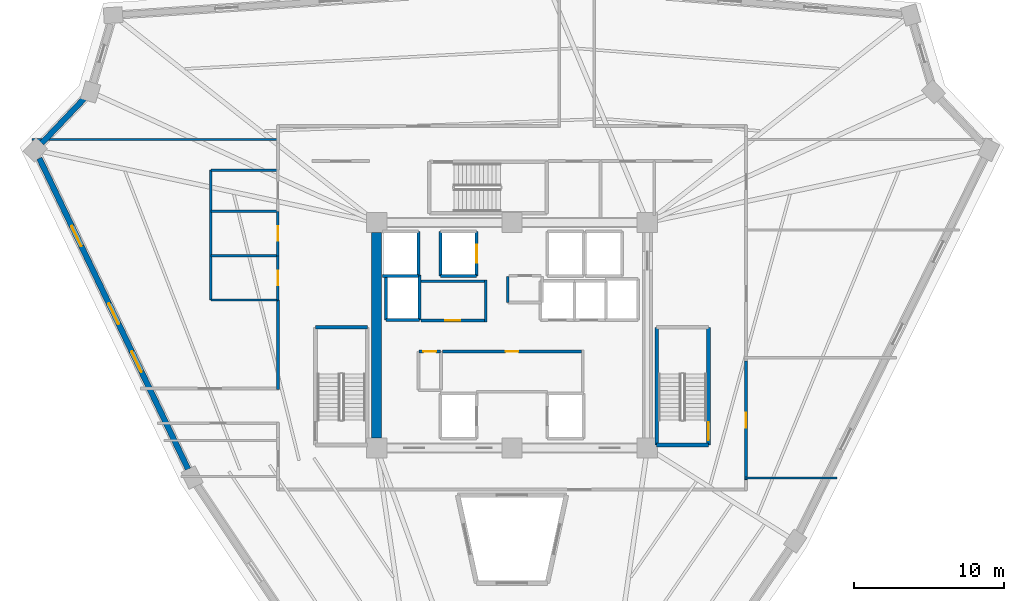
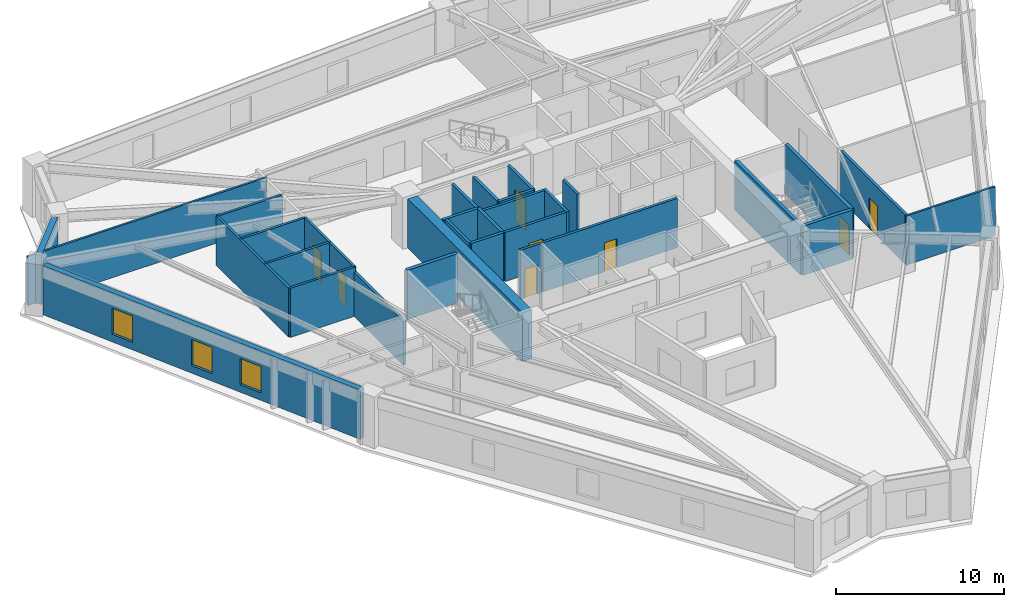
# One storey, part 4 of 8: 32 walls, 8 doors, 3 windows, 11 openings.
"""IFC4 building model written with IfcOpenShell, lengths in metres."""

from ifc_helpers import new_model, si_unit, direction, frame, frame_2d, origin, place, context, subcontext, project, spatial, rectangle, extrude, source, transform, mapped, material, layer, layer_set, type_object, element, fill, save


model = new_model("IFC4")

# Units and contexts
model_context = context("Model", 3, precision=1e-05, world=origin(), true_north=direction((0.0, 1.0)))
body_context = subcontext(model_context, "Body", "Model", "MODEL_VIEW")
ifc_project = project(units=[si_unit("LENGTHUNIT", "METRE"), si_unit("AREAUNIT", "SQUARE_METRE"), si_unit("VOLUMEUNIT", "CUBIC_METRE"), si_unit("PLANEANGLEUNIT", "RADIAN"), si_unit("MASSUNIT", "GRAM", prefix="KILO")], contexts=[model_context])

# Site, building, storey
site_placement = place(None, origin())
site = spatial("IfcSite", under=ifc_project, at=site_placement, CompositionType="ELEMENT")
building_placement = place(site_placement, origin())
building = spatial("IfcBuilding", under=site, at=building_placement, Name="Liaohun Quay Tower", CompositionType="ELEMENT")
storey_placement = place(building_placement, frame((0.0, 0.0, 262.5)))
storey = spatial("IfcBuildingStorey", under=building, at=storey_placement, Name="L68", CompositionType="ELEMENT", Elevation=262.5)

# Walls
ifc_material_1 = material(Name="Concrete C55", Category="concrete")
ifc_layer_1 = layer(ifc_material_1, 0.64990234375, Name="Concrete C55", Category="concrete")
ifc_layer_set_1 = layer_set([ifc_layer_1], Name="Concrete C55")
wall_type_1 = type_object("IfcWallType", Name="WAL-COR-Z3", PredefinedType="SHEAR", material=ifc_layer_set_1)
wall_1_placement = place(storey_placement, frame((51.0, 47.175048828125, 0.0), z_axis=(0.0, 0.0, 1.0), x_axis=(0.0, 1.0, 0.0)))
element("IfcWall", 1, at=wall_1_placement, inside=storey, type_object=wall_type_1, Name="L68 Central Core Shear Wall W", PredefinedType="SHEAR", context=body_context, shape_type="SweptSolid", body=[
    extrude(rectangle(XDim=13.64990234375, YDim=0.64990234375, at=frame_2d((6.824951171875, 0.0))), origin(), (0.0, 0.0, 1.0), 3.570068359375),
])
ifc_material_2 = material(Name="Precast concrete C50 insulated sandwich", Category="concrete")
ifc_layer_2 = layer(ifc_material_2, 0.3798828125, Name="Precast concrete C50 insulated sandwich", Category="concrete")
ifc_layer_set_2 = layer_set([ifc_layer_2], Name="Precast concrete C50 insulated sandwich")
wall_type_2 = type_object("IfcWallType", Name="WAL-EXT-Z34", PredefinedType="SOLIDWALL", material=ifc_layer_set_2)
wall_2_placement = place(storey_placement, frame((31.55908203125, 69.72998046875, 0.0), z_axis=(0.0, 0.0, 1.0), x_axis=(-0.689302304971, -0.724473831385, 0.0)))
element("IfcWall", 2, at=wall_2_placement, inside=storey, type_object=wall_type_2, Name="L68 Brutalist Precast Pier Wall 09", PredefinedType="SOLIDWALL", context=body_context, shape_type="SweptSolid", body=[
    extrude(rectangle(XDim=4.095458984375, YDim=0.3798828125, at=frame_2d((2.0478515625, 0.0))), origin(), (0.0, 0.0, 1.0), 3.570068359375),
])

# Wall, openings, windows
wall_3_placement = place(storey_placement, frame((28.576904296875, 65.761962890625, 0.0), z_axis=(0.0, 0.0, 1.0), x_axis=(0.431702044432, -0.902016266391, 0.0)))
wall_3 = element("IfcWall", 3, at=wall_3_placement, inside=storey, type_object=wall_type_2, Name="L68 Brutalist Precast Pier Wall 10", PredefinedType="SOLIDWALL", context=body_context, shape_type="SweptSolid", body=[
    extrude(rectangle(XDim=22.9140625, YDim=0.3798828125, at=frame_2d((11.45703125, 0.0))), origin(), (0.0, 0.0, 1.0), 3.570068359375),
])
shared_shape_1 = source(origin(), body_context, "Body", "SweptSolid", [
    extrude(rectangle(XDim=1.5, YDim=1.89990234375, at=frame_2d((0.75, 0.949951171875))), frame((0.0, 0.199951171875, 0.0), z_axis=(0.0, -1.0, 0.0), x_axis=(1.0, 0.0, 0.0)), (0.0, 0.0, 1.0), 0.39990234375),
])
opening_1_placement = place(wall_3_placement, frame((4.97900390625, 0.0, 0.550048828125)))
opening_1 = element("IfcOpeningElement", 4, at=opening_1_placement, cuts=wall_3, Name="Opening W03", PredefinedType="OPENING", context=body_context, shape_type="MappedRepresentation", body=[
    mapped(shared_shape_1, transform((0.0, 0.0, 0.0), x_axis=(1.0, 0.0, 0.0), y_axis=(0.0, 1.0, 0.0), z_axis=(0.0, 0.0, 1.0), scale=1.0)),
])
opening_2_placement = place(wall_3_placement, frame((10.70703125, 0.0, 0.550048828125)))
opening_2 = element("IfcOpeningElement", 5, at=opening_2_placement, cuts=wall_3, Name="Opening W03", PredefinedType="OPENING", context=body_context, shape_type="MappedRepresentation", body=[
    mapped(shared_shape_1, transform((0.0, 0.0, 0.0), x_axis=(1.0, 0.0, 0.0), y_axis=(0.0, 1.0, 0.0), z_axis=(0.0, 0.0, 1.0), scale=1.0)),
])
opening_3_placement = place(wall_3_placement, frame((14.236083984375, 0.0, 0.550048828125)))
opening_3 = element("IfcOpeningElement", 6, at=opening_3_placement, cuts=wall_3, Name="Opening W03", PredefinedType="OPENING", context=body_context, shape_type="MappedRepresentation", body=[
    mapped(shared_shape_1, transform((0.0, 0.0, 0.0), x_axis=(1.0, 0.0, 0.0), y_axis=(0.0, 1.0, 0.0), z_axis=(0.0, 0.0, 1.0), scale=1.0)),
])
ifc_material_3 = material(Name="Triple Low-E argon glazing in thermally broken aluminium", Category="aluminium")
window_type = type_object("IfcWindowType", Name="WIN-PUN-Z3", PartitioningType="DOUBLE_PANEL_VERTICAL", PredefinedType="WINDOW", material=ifc_material_3)
shared_shape_2 = source(origin(), body_context, "Body", "SweptSolid", [
    extrude(rectangle(XDim=1.5, YDim=1.89990234375, at=frame_2d((0.75, 0.949951171875))), frame((0.0, 0.030029296875, 0.0), z_axis=(0.0, -1.0, 0.0), x_axis=(1.0, 0.0, 0.0)), (0.0, 0.0, 1.0), 0.06005859375),
])
window_1_placement = place(opening_1_placement, origin())
window_1 = element("IfcWindow", 7, at=window_1_placement, inside=storey, type_object=window_type, Name="L68 Recessed Cold-Climate Punched Window 10-1", OverallHeight=1.89990234375, OverallWidth=1.5, PartitioningType="DOUBLE_PANEL_VERTICAL", PredefinedType="WINDOW", context=body_context, shape_type="MappedRepresentation", body=[
    mapped(shared_shape_2, transform((0.0, 0.0, 0.0), x_axis=(1.0, 0.0, 0.0), y_axis=(0.0, 1.0, 0.0), z_axis=(0.0, 0.0, 1.0), scale=1.0)),
])
fill(opening_1, window_1)
window_2_placement = place(opening_2_placement, origin())
window_2 = element("IfcWindow", 8, at=window_2_placement, inside=storey, type_object=window_type, Name="L68 Recessed Cold-Climate Punched Window 10-2", OverallHeight=1.89990234375, OverallWidth=1.5, PartitioningType="DOUBLE_PANEL_VERTICAL", PredefinedType="WINDOW", context=body_context, shape_type="MappedRepresentation", body=[
    mapped(shared_shape_2, transform((0.0, 0.0, 0.0), x_axis=(1.0, 0.0, 0.0), y_axis=(0.0, 1.0, 0.0), z_axis=(0.0, 0.0, 1.0), scale=1.0)),
])
fill(opening_2, window_2)
window_3_placement = place(opening_3_placement, origin())
window_3 = element("IfcWindow", 9, at=window_3_placement, inside=storey, type_object=window_type, Name="L68 Recessed Cold-Climate Punched Window 10-3", OverallHeight=1.89990234375, OverallWidth=1.5, PartitioningType="DOUBLE_PANEL_VERTICAL", PredefinedType="WINDOW", context=body_context, shape_type="MappedRepresentation", body=[
    mapped(shared_shape_2, transform((0.0, 0.0, 0.0), x_axis=(1.0, 0.0, 0.0), y_axis=(0.0, 1.0, 0.0), z_axis=(0.0, 0.0, 1.0), scale=1.0)),
])
fill(opening_3, window_3)

# Wall, opening, door
ifc_material_4 = material(Name="Autoclaved aerated concrete blockwork", Category="masonry")
ifc_layer_3 = layer(ifc_material_4, 0.179931640625, Name="Autoclaved aerated concrete blockwork", Category="masonry")
ifc_layer_set_3 = layer_set([ifc_layer_3], Name="Autoclaved aerated concrete blockwork")
wall_type_3 = type_object("IfcWallType", Name="WAL-PRT-COR", PredefinedType="PARTITIONING", material=ifc_layer_set_3)
wall_4_placement = place(storey_placement, frame((55.3701171875, 52.919921875, 0.0), z_axis=(0.0, 0.0, 1.0), x_axis=(1.0, 0.0, 0.0)))
wall_4 = element("IfcWall", 10, at=wall_4_placement, inside=storey, type_object=wall_type_3, Name="L68 Interior Partition Wall 001", PredefinedType="PARTITIONING", context=body_context, shape_type="SweptSolid", body=[
    extrude(rectangle(XDim=9.239990234375, YDim=0.179931640625, at=frame_2d((4.6201171875, 0.0))), origin(), (0.0, 0.0, 1.0), 3.570068359375),
])
shared_shape_3 = source(origin(), body_context, "Body", "SweptSolid", [
    extrude(rectangle(XDim=0.85009765625, YDim=2.10009765625, at=frame_2d((0.425048828125, 1.050048828125))), frame((0.0, 0.099853515625, 0.0), z_axis=(0.0, -1.0, 0.0), x_axis=(1.0, 0.0, 0.0)), (0.0, 0.0, 1.0), 0.199951171875),
])
opening_4_placement = place(wall_4_placement, frame((4.205078125, 0.0, 0.0)))
opening_4 = element("IfcOpeningElement", 11, at=opening_4_placement, cuts=wall_4, Name="Opening AD1", PredefinedType="OPENING", context=body_context, shape_type="MappedRepresentation", body=[
    mapped(shared_shape_3, transform((0.0, 0.0, 0.0), x_axis=(1.0, 0.0, 0.0), y_axis=(0.0, 1.0, 0.0), z_axis=(0.0, 0.0, 1.0), scale=1.0)),
])
ifc_material_5 = material(Name="Steel riser inspection fire door", Category="steel")
door_type_1 = type_object("IfcDoorType", Name="DOR-SHF-850", OperationType="NOTDEFINED", PredefinedType="DOOR", material=ifc_material_5)
shared_shape_4 = source(origin(), body_context, "Body", "SweptSolid", [
    extrude(rectangle(XDim=0.85009765625, YDim=2.10009765625, at=frame_2d((0.425048828125, 1.050048828125))), frame((0.0, 0.02490234375, 0.0), z_axis=(0.0, -1.0, 0.0), x_axis=(1.0, 0.0, 0.0)), (0.0, 0.0, 1.0), 0.050048828125),
])
door_1_placement = place(opening_4_placement, origin())
door_1 = element("IfcDoor", 12, at=door_1_placement, inside=storey, type_object=door_type_1, Name="L68 Core Tenant Storage and Archive Room Door", OperationType="SINGLE_SWING_LEFT", OverallHeight=2.10009765625, OverallWidth=0.85009765625, PredefinedType="DOOR", context=body_context, shape_type="MappedRepresentation", body=[
    mapped(shared_shape_4, transform((0.0, 0.0, 0.0), x_axis=(1.0, 0.0, 0.0), y_axis=(0.0, 1.0, 0.0), z_axis=(0.0, 0.0, 1.0), scale=1.0)),
])
fill(opening_4, door_1)

wall_5_placement = place(storey_placement, frame((53.949951171875, 54.97998046875, 0.0), z_axis=(0.0, 0.0, 1.0), x_axis=(1.0, 0.0, 0.0)))
wall_5 = element("IfcWall", 13, at=wall_5_placement, inside=storey, type_object=wall_type_3, Name="L68 Interior Partition Wall 002", PredefinedType="PARTITIONING", context=body_context, shape_type="SweptSolid", body=[
    extrude(rectangle(XDim=4.2099609375, YDim=0.179931640625, at=frame_2d((2.10498046875, 0.0))), origin(), (0.0, 0.0, 1.0), 3.570068359375),
])
shared_shape_5 = source(origin(), body_context, "Body", "SweptSolid", [
    extrude(rectangle(XDim=1.0, YDim=2.199951171875, at=frame_2d((0.5, 1.10009765625))), frame((0.0, 0.099853515625, 0.0), z_axis=(0.0, -1.0, 0.0), x_axis=(1.0, 0.0, 0.0)), (0.0, 0.0, 1.0), 0.199951171875),
])
opening_5_placement = place(wall_5_placement, frame((1.60009765625, 0.0, 0.0)))
opening_5 = element("IfcOpeningElement", 14, at=opening_5_placement, cuts=wall_5, Name="Opening OD1", PredefinedType="OPENING", context=body_context, shape_type="MappedRepresentation", body=[
    mapped(shared_shape_5, transform((0.0, 0.0, 0.0), x_axis=(1.0, 0.0, 0.0), y_axis=(0.0, 1.0, 0.0), z_axis=(0.0, 0.0, 1.0), scale=1.0)),
])
ifc_material_6 = material(Name="Solid-core oak veneer timber leaf in steel frame", Category="steel")
door_type_2 = type_object("IfcDoorType", Name="DOR-OFF-1000", OperationType="NOTDEFINED", PredefinedType="DOOR", material=ifc_material_6)
shared_shape_6 = source(origin(), body_context, "Body", "SweptSolid", [
    extrude(rectangle(XDim=1.0, YDim=2.199951171875, at=frame_2d((0.5, 1.10009765625))), frame((0.0, 0.02490234375, 0.0), z_axis=(0.0, -1.0, 0.0), x_axis=(1.0, 0.0, 0.0)), (0.0, 0.0, 1.0), 0.050048828125),
])
door_2_placement = place(opening_5_placement, origin())
door_2 = element("IfcDoor", 15, at=door_2_placement, inside=storey, type_object=door_type_2, Name="L68 Core Staff Pantry and Tea Room Door", OperationType="SINGLE_SWING_RIGHT", OverallHeight=2.199951171875, OverallWidth=1.0, PredefinedType="DOOR", context=body_context, shape_type="MappedRepresentation", body=[
    mapped(shared_shape_6, transform((0.0, 0.0, 0.0), x_axis=(1.0, 0.0, 0.0), y_axis=(0.0, 1.0, 0.0), z_axis=(0.0, 0.0, 1.0), scale=1.0)),
])
fill(opening_5, door_2)

wall_6_placement = place(storey_placement, frame((53.820068359375, 52.919921875, 0.0), z_axis=(0.0, 0.0, 1.0), x_axis=(1.0, 0.0, 0.0)))
wall_6 = element("IfcWall", 16, at=wall_6_placement, inside=storey, type_object=wall_type_3, Name="L68 Interior Partition Wall 004", PredefinedType="PARTITIONING", context=body_context, shape_type="SweptSolid", body=[
    extrude(rectangle(XDim=1.429931640625, YDim=0.179931640625, at=frame_2d((0.71484375, 0.0))), origin(), (0.0, 0.0, 1.0), 3.570068359375),
])
opening_6_placement = place(wall_6_placement, frame((0.2900390625, 0.0, 0.0)))
opening_6 = element("IfcOpeningElement", 17, at=opening_6_placement, cuts=wall_6, Name="Opening AD1", PredefinedType="OPENING", context=body_context, shape_type="MappedRepresentation", body=[
    mapped(shared_shape_3, transform((0.0, 0.0, 0.0), x_axis=(1.0, 0.0, 0.0), y_axis=(0.0, 1.0, 0.0), z_axis=(0.0, 0.0, 1.0), scale=1.0)),
])
door_3_placement = place(opening_6_placement, origin())
door_3 = element("IfcDoor", 18, at=door_3_placement, inside=storey, type_object=door_type_1, Name="L68 Mechanical Smoke Duct Room Door", OperationType="SINGLE_SWING_RIGHT", OverallHeight=2.10009765625, OverallWidth=0.85009765625, PredefinedType="DOOR", context=body_context, shape_type="MappedRepresentation", body=[
    mapped(shared_shape_4, transform((0.0, 0.0, 0.0), x_axis=(1.0, 0.0, 0.0), y_axis=(0.0, 1.0, 0.0), z_axis=(0.0, 0.0, 1.0), scale=1.0)),
])
fill(opening_6, door_3)

wall_7_placement = place(storey_placement, frame((75.56005859375, 52.284912109375, 0.0), z_axis=(0.0, 0.0, 1.0), x_axis=(0.0, -1.0, 0.0)))
wall_7 = element("IfcWall", 19, at=wall_7_placement, inside=storey, type_object=wall_type_3, Name="L68 Interior Partition Wall 020", PredefinedType="PARTITIONING", context=body_context, shape_type="SweptSolid", body=[
    extrude(rectangle(XDim=7.89990234375, YDim=0.179931640625, at=frame_2d((3.949951171875, 0.0))), origin(), (0.0, 0.0, 1.0), 3.570068359375),
])
opening_7_placement = place(wall_7_placement, frame((3.449951171875, 0.0, 0.0)))
opening_7 = element("IfcOpeningElement", 20, at=opening_7_placement, cuts=wall_7, Name="Opening OD1", PredefinedType="OPENING", context=body_context, shape_type="MappedRepresentation", body=[
    mapped(shared_shape_5, transform((0.0, 0.0, 0.0), x_axis=(1.0, 0.0, 0.0), y_axis=(0.0, 1.0, 0.0), z_axis=(0.0, 0.0, 1.0), scale=1.0)),
])
door_4_placement = place(opening_7_placement, origin())
door_4 = element("IfcDoor", 21, at=door_4_placement, inside=storey, type_object=door_type_2, Name="L68 Records Archive Store 09 Door", OperationType="SINGLE_SWING_RIGHT", OverallHeight=2.199951171875, OverallWidth=1.0, PredefinedType="DOOR", context=body_context, shape_type="MappedRepresentation", body=[
    mapped(shared_shape_6, transform((0.0, 0.0, 0.0), x_axis=(1.0, 0.0, 0.0), y_axis=(0.0, 1.0, 0.0), z_axis=(0.0, 0.0, 1.0), scale=1.0)),
])
fill(opening_7, door_4)

# Walls
wall_8_placement = place(storey_placement, frame((59.719970703125, 56.179931640625, 0.0), z_axis=(0.0, 0.0, 1.0), x_axis=(0.0, 1.0, 0.0)))
element("IfcWall", 22, at=wall_8_placement, inside=storey, type_object=wall_type_3, Name="L68 Interior Partition Wall 021", PredefinedType="PARTITIONING", context=body_context, shape_type="SweptSolid", body=[
    extrude(rectangle(XDim=1.739990234375, YDim=0.179931640625, at=frame_2d((0.8701171875, 0.0))), origin(), (0.0, 0.0, 1.0), 3.570068359375),
])
wall_9_placement = place(storey_placement, frame((44.43994140625, 50.389892578125, 0.0), z_axis=(0.0, 0.0, 1.0), x_axis=(0.0, 1.0, 0.0)))
element("IfcWall", 23, at=wall_9_placement, inside=storey, type_object=wall_type_3, Name="L68 Interior Partition Wall 038", PredefinedType="PARTITIONING", context=body_context, shape_type="SweptSolid", body=[
    extrude(rectangle(XDim=5.9501953125, YDim=0.179931640625, at=frame_2d((2.97509765625, 0.0))), origin(), (0.0, 0.0, 1.0), 3.205078125),
])
wall_10_placement = place(storey_placement, frame((58.25, 54.889892578125, 0.0), z_axis=(0.0, 0.0, 1.0), x_axis=(0.0, 1.0, 0.0)))
element("IfcWall", 24, at=wall_10_placement, inside=storey, type_object=wall_type_3, Name="L68 Interior Partition Wall 052", PredefinedType="PARTITIONING", context=body_context, shape_type="SweptSolid", body=[
    extrude(rectangle(XDim=2.780029296875, YDim=0.179931640625, at=frame_2d((1.39013671875, 0.0))), origin(), (0.0, 0.0, 1.0), 3.570068359375),
])
wall_11_placement = place(storey_placement, frame((53.949951171875, 57.580078125, 0.0), z_axis=(0.0, 0.0, 1.0), x_axis=(1.0, 0.0, 0.0)))
element("IfcWall", 25, at=wall_11_placement, inside=storey, type_object=wall_type_3, Name="L68 Interior Partition Wall 053", PredefinedType="PARTITIONING", context=body_context, shape_type="SweptSolid", body=[
    extrude(rectangle(XDim=4.2099609375, YDim=0.179931640625, at=frame_2d((2.10498046875, 0.0))), origin(), (0.0, 0.0, 1.0), 3.570068359375),
])
ifc_material_7 = material(Name="Gypsum board on twin steel studs", Category="steel")
ifc_layer_4 = layer(ifc_material_7, 0.139892578125, Name="Gypsum board on twin steel studs", Category="steel")
ifc_layer_set_4 = layer_set([ifc_layer_4], Name="Gypsum board on twin steel studs")
wall_type_4 = type_object("IfcWallType", Name="WAL-PRT-OFF", PredefinedType="PARTITIONING", material=ifc_layer_set_4)
wall_12_placement = place(storey_placement, frame((44.5400390625, 67.0, 0.0), z_axis=(0.0, 0.0, 1.0), x_axis=(-1.0, 0.0, 0.0)))
element("IfcWall", 26, at=wall_12_placement, inside=storey, type_object=wall_type_4, Name="L68 Interior Partition Wall 045", PredefinedType="PARTITIONING", context=body_context, shape_type="SweptSolid", body=[
    extrude(rectangle(XDim=16.448974609375, YDim=0.139892578125, at=frame_2d((8.224609375, 0.0))), origin(), (0.0, 0.0, 1.0), 3.570068359375),
])
wall_13_placement = place(storey_placement, frame((75.4599609375, 44.5, 0.0), z_axis=(0.0, 0.0, 1.0), x_axis=(1.0, 0.0, 0.0)))
element("IfcWall", 27, at=wall_13_placement, inside=storey, type_object=wall_type_4, Name="L68 Interior Partition Wall 046", PredefinedType="PARTITIONING", context=body_context, shape_type="SweptSolid", body=[
    extrude(rectangle(XDim=6.14013671875, YDim=0.139892578125, at=frame_2d((3.070068359375, 0.0))), origin(), (0.0, 0.0, 1.0), 3.570068359375),
])

# Wall, opening, door
ifc_material_8 = material(Name="Moisture-resistant masonry blockwork", Category="masonry")
ifc_layer_5 = layer(ifc_material_8, 0.159912109375, Name="Moisture-resistant masonry blockwork", Category="masonry")
ifc_layer_set_5 = layer_set([ifc_layer_5], Name="Moisture-resistant masonry blockwork")
wall_type_5 = type_object("IfcWallType", Name="WAL-PRT-WET", PredefinedType="PARTITIONING", material=ifc_layer_set_5)
wall_14_placement = place(storey_placement, frame((44.43994140625, 56.340087890625, 0.0), z_axis=(0.0, 0.0, 1.0), x_axis=(0.0, 1.0, 0.0)))
wall_14 = element("IfcWall", 28, at=wall_14_placement, inside=storey, type_object=wall_type_5, Name="L68 Interior Partition Wall 005", PredefinedType="PARTITIONING", context=body_context, shape_type="SweptSolid", body=[
    extrude(rectangle(XDim=2.93994140625, YDim=0.159912109375, at=frame_2d((1.469970703125, 0.0))), origin(), (0.0, 0.0, 1.0), 3.570068359375),
])
shared_shape_7 = source(origin(), body_context, "Body", "SweptSolid", [
    extrude(rectangle(XDim=0.949951171875, YDim=2.14990234375, at=frame_2d((0.47509765625, 1.074951171875))), frame((0.0, 0.08984375, 0.0), z_axis=(0.0, -1.0, 0.0), x_axis=(1.0, 0.0, 0.0)), (0.0, 0.0, 1.0), 0.179931640625),
])
opening_8_placement = place(wall_14_placement, frame((0.9951171875, 0.0, 0.0)))
opening_8 = element("IfcOpeningElement", 29, at=opening_8_placement, cuts=wall_14, Name="Opening WD1", PredefinedType="OPENING", context=body_context, shape_type="MappedRepresentation", body=[
    mapped(shared_shape_7, transform((0.0, 0.0, 0.0), x_axis=(1.0, 0.0, 0.0), y_axis=(0.0, 1.0, 0.0), z_axis=(0.0, 0.0, 1.0), scale=1.0)),
])
ifc_material_9 = material(Name="Moisture-resistant laminate timber leaf", Category="wood")
door_type_3 = type_object("IfcDoorType", Name="DOR-WC-950", OperationType="NOTDEFINED", PredefinedType="DOOR", material=ifc_material_9)
shared_shape_8 = source(origin(), body_context, "Body", "SweptSolid", [
    extrude(rectangle(XDim=0.949951171875, YDim=2.14990234375, at=frame_2d((0.47509765625, 1.074951171875))), frame((0.0, 0.02490234375, 0.0), z_axis=(0.0, -1.0, 0.0), x_axis=(1.0, 0.0, 0.0)), (0.0, 0.0, 1.0), 0.050048828125),
])
door_5_placement = place(opening_8_placement, origin())
door_5 = element("IfcDoor", 30, at=door_5_placement, inside=storey, type_object=door_type_3, Name="L68 Male Restroom WC Door", OperationType="SINGLE_SWING_LEFT", OverallHeight=2.14990234375, OverallWidth=0.949951171875, PredefinedType="DOOR", context=body_context, shape_type="MappedRepresentation", body=[
    mapped(shared_shape_8, transform((0.0, 0.0, 0.0), x_axis=(1.0, 0.0, 0.0), y_axis=(0.0, 1.0, 0.0), z_axis=(0.0, 0.0, 1.0), scale=1.0)),
])
fill(opening_8, door_5)

wall_15_placement = place(storey_placement, frame((44.43994140625, 59.280029296875, 0.0), z_axis=(0.0, 0.0, 1.0), x_axis=(0.0, 1.0, 0.0)))
wall_15 = element("IfcWall", 31, at=wall_15_placement, inside=storey, type_object=wall_type_5, Name="L68 Interior Partition Wall 006", PredefinedType="PARTITIONING", context=body_context, shape_type="SweptSolid", body=[
    extrude(rectangle(XDim=2.9599609375, YDim=0.159912109375, at=frame_2d((1.47998046875, 0.0))), origin(), (0.0, 0.0, 1.0), 3.570068359375),
])
opening_9_placement = place(wall_15_placement, frame((1.0048828125, 0.0, 0.0)))
opening_9 = element("IfcOpeningElement", 32, at=opening_9_placement, cuts=wall_15, Name="Opening WD1", PredefinedType="OPENING", context=body_context, shape_type="MappedRepresentation", body=[
    mapped(shared_shape_7, transform((0.0, 0.0, 0.0), x_axis=(1.0, 0.0, 0.0), y_axis=(0.0, 1.0, 0.0), z_axis=(0.0, 0.0, 1.0), scale=1.0)),
])
door_6_placement = place(opening_9_placement, origin())
door_6 = element("IfcDoor", 33, at=door_6_placement, inside=storey, type_object=door_type_3, Name="L68 Female Restroom WC Door", OperationType="SINGLE_SWING_RIGHT", OverallHeight=2.14990234375, OverallWidth=0.949951171875, PredefinedType="DOOR", context=body_context, shape_type="MappedRepresentation", body=[
    mapped(shared_shape_8, transform((0.0, 0.0, 0.0), x_axis=(1.0, 0.0, 0.0), y_axis=(0.0, 1.0, 0.0), z_axis=(0.0, 0.0, 1.0), scale=1.0)),
])
fill(opening_9, door_6)

# Walls
wall_16_placement = place(storey_placement, frame((39.97998046875, 56.340087890625, 0.0), z_axis=(0.0, 0.0, 1.0), x_axis=(0.0, 1.0, 0.0)))
element("IfcWall", 34, at=wall_16_placement, inside=storey, type_object=wall_type_5, Name="L68 Interior Partition Wall 027", PredefinedType="PARTITIONING", context=body_context, shape_type="SweptSolid", body=[
    extrude(rectangle(XDim=8.639892578125, YDim=0.159912109375, at=frame_2d((4.31982421875, 0.0))), origin(), (0.0, 0.0, 1.0), 3.570068359375),
])
for number, where, z_axis, x_axis, name in (
    (35, (39.97998046875, 56.340087890625, 0.0), (0.0, 0.0, 1.0), (1.0, 0.0, 0.0), "L68 Interior Partition Wall 028"),
    (36, (39.97998046875, 59.280029296875, 0.0), (0.0, 0.0, 1.0), (1.0, 0.0, 0.0), "L68 Interior Partition Wall 029"),
    (37, (39.97998046875, 62.239990234375, 0.0), (0.0, 0.0, 1.0), (1.0, 0.0, 0.0), "L68 Interior Partition Wall 030"),
    (38, (39.97998046875, 64.97998046875, 0.0), (0.0, 0.0, 1.0), (1.0, 0.0, 0.0), "L68 Interior Partition Wall 031"),
):
    element("IfcWall", number, at=place(storey_placement, frame(where, z_axis=z_axis, x_axis=x_axis)), inside=storey, type_object=wall_type_5, Name=name, PredefinedType="PARTITIONING", context=body_context, shape_type="SweptSolid", body=[
        extrude(rectangle(XDim=4.4599609375, YDim=0.159912109375, at=frame_2d((2.22998046875, 0.0))), origin(), (0.0, 0.0, 1.0), 3.570068359375),
    ])
ifc_material_10 = material(Name="Concrete C50", Category="concrete")
ifc_layer_6 = layer(ifc_material_10, 0.239990234375, Name="Concrete C50", Category="concrete")
ifc_layer_set_6 = layer_set([ifc_layer_6], Name="Concrete C50")
wall_type_6 = type_object("IfcWallType", Name="WAL-SHF-200", PredefinedType="SOLIDWALL", material=ifc_layer_set_6)
for number, where, z_axis, x_axis, name in (
    (39, (50.3798828125, 54.52001953125, 0.0), (0.0, 0.0, 1.0), (-1.0, 0.0, 0.0), "L68 Stairwell ST-1 Structural Core Wall N"),
    (40, (69.6201171875, 46.699951171875, 0.0), (0.0, 0.0, 1.0), (1.0, 0.0, 0.0), "L68 Stairwell ST-2 Structural Core Wall S"),
):
    element("IfcWall", number, at=place(storey_placement, frame(where, z_axis=z_axis, x_axis=x_axis)), inside=storey, type_object=wall_type_6, Name=name, PredefinedType="SOLIDWALL", context=body_context, shape_type="SweptSolid", body=[
        extrude(rectangle(XDim=3.43994140625, YDim=0.239990234375, at=frame_2d((1.719970703125, 0.0))), origin(), (0.0, 0.0, 1.0), 3.570068359375),
    ])

# Wall, opening, door
wall_17_placement = place(storey_placement, frame((73.06005859375, 46.699951171875, 0.0), z_axis=(0.0, 0.0, 1.0), x_axis=(0.0, 1.0, 0.0)))
wall_17 = element("IfcWall", 41, at=wall_17_placement, inside=storey, type_object=wall_type_6, Name="L68 Stairwell ST-2 Structural Core Wall E", PredefinedType="SOLIDWALL", context=body_context, shape_type="SweptSolid", body=[
    extrude(rectangle(XDim=7.820068359375, YDim=0.239990234375, at=frame_2d((3.91015625, 0.0))), origin(), (0.0, 0.0, 1.0), 3.570068359375),
])
shared_shape_9 = source(origin(), body_context, "Body", "SweptSolid", [
    extrude(rectangle(XDim=1.199951171875, YDim=2.199951171875, at=frame_2d((0.60009765625, 1.10009765625))), frame((0.0, 0.1298828125, 0.0), z_axis=(0.0, -1.0, 0.0), x_axis=(1.0, 0.0, 0.0)), (0.0, 0.0, 1.0), 0.260009765625),
])
opening_10_placement = place(wall_17_placement, frame((0.320068359375, 0.0, 0.0)))
opening_10 = element("IfcOpeningElement", 42, at=opening_10_placement, cuts=wall_17, Name="Opening SD1", PredefinedType="OPENING", context=body_context, shape_type="MappedRepresentation", body=[
    mapped(shared_shape_9, transform((0.0, 0.0, 0.0), x_axis=(1.0, 0.0, 0.0), y_axis=(0.0, 1.0, 0.0), z_axis=(0.0, 0.0, 1.0), scale=1.0)),
])
ifc_material_11 = material(Name="Galvanised steel fire door", Category="steel")
door_type_4 = type_object("IfcDoorType", Name="DOR-STR-1200", OperationType="NOTDEFINED", PredefinedType="DOOR", material=ifc_material_11)
shared_shape_10 = source(origin(), body_context, "Body", "SweptSolid", [
    extrude(rectangle(XDim=1.199951171875, YDim=2.199951171875, at=frame_2d((0.60009765625, 1.10009765625))), frame((0.0, 0.02490234375, 0.0), z_axis=(0.0, -1.0, 0.0), x_axis=(1.0, 0.0, 0.0)), (0.0, 0.0, 1.0), 0.050048828125),
])
door_7_placement = place(opening_10_placement, origin())
door_7 = element("IfcDoor", 43, at=door_7_placement, inside=storey, type_object=door_type_4, Name="L68 Protected Stair ST-2 Fire Door", OperationType="SINGLE_SWING_RIGHT", OverallHeight=2.199951171875, OverallWidth=1.199951171875, PredefinedType="DOOR", context=body_context, shape_type="MappedRepresentation", body=[
    mapped(shared_shape_10, transform((0.0, 0.0, 0.0), x_axis=(1.0, 0.0, 0.0), y_axis=(0.0, 1.0, 0.0), z_axis=(0.0, 0.0, 1.0), scale=1.0)),
])
fill(opening_10, door_7)

# Walls
wall_18_placement = place(storey_placement, frame((69.6201171875, 54.52001953125, 0.0), z_axis=(0.0, 0.0, 1.0), x_axis=(0.0, -1.0, 0.0)))
element("IfcWall", 44, at=wall_18_placement, inside=storey, type_object=wall_type_6, Name="L68 Stairwell ST-2 Structural Core Wall W", PredefinedType="SOLIDWALL", context=body_context, shape_type="SweptSolid", body=[
    extrude(rectangle(XDim=7.820068359375, YDim=0.239990234375, at=frame_2d((3.91015625, 0.0))), origin(), (0.0, 0.0, 1.0), 3.570068359375),
])
wall_19_placement = place(storey_placement, frame((55.25, 57.949951171875, 0.0), z_axis=(0.0, 0.0, 1.0), x_axis=(1.0, 0.0, 0.0)))
element("IfcWall", 45, at=wall_19_placement, inside=storey, type_object=wall_type_6, Name="L68 Lift FF-03 Hoistway Wall S", PredefinedType="SOLIDWALL", context=body_context, shape_type="SweptSolid", body=[
    extrude(rectangle(XDim=2.39990234375, YDim=0.199951171875, at=frame_2d((1.199951171875, 0.0))), origin(), (0.0, 0.0, 1.0), 3.570068359375),
])

# Wall, opening, door
wall_20_placement = place(storey_placement, frame((57.64990234375, 57.949951171875, 0.0), z_axis=(0.0, 0.0, 1.0), x_axis=(0.0, 1.0, 0.0)))
wall_20 = element("IfcWall", 46, at=wall_20_placement, inside=storey, type_object=wall_type_6, Name="L68 Lift FF-03 Hoistway Wall E", PredefinedType="SOLIDWALL", context=body_context, shape_type="SweptSolid", body=[
    extrude(rectangle(XDim=2.929931640625, YDim=0.199951171875, at=frame_2d((1.46484375, 0.0))), origin(), (0.0, 0.0, 1.0), 3.570068359375),
])
shared_shape_11 = source(origin(), body_context, "Body", "SweptSolid", [
    extrude(rectangle(XDim=1.199951171875, YDim=2.300048828125, at=frame_2d((0.60009765625, 1.14990234375))), frame((0.0, 0.10986328125, 0.0), z_axis=(0.0, -1.0, 0.0), x_axis=(1.0, 0.0, 0.0)), (0.0, 0.0, 1.0), 0.219970703125),
])
opening_11_placement = place(wall_20_placement, frame((0.864990234375, 0.0, 0.0)))
opening_11 = element("IfcOpeningElement", 47, at=opening_11_placement, cuts=wall_20, Name="Opening LD2", PredefinedType="OPENING", context=body_context, shape_type="MappedRepresentation", body=[
    mapped(shared_shape_11, transform((0.0, 0.0, 0.0), x_axis=(1.0, 0.0, 0.0), y_axis=(0.0, 1.0, 0.0), z_axis=(0.0, 0.0, 1.0), scale=1.0)),
])
ifc_material_12 = material(Name="Brushed stainless steel stretcher landing door", Category="steel")
door_type_5 = type_object("IfcDoorType", Name="DOR-LFT-1200", OperationType="SLIDING_TO_LEFT", PredefinedType="DOOR", material=ifc_material_12)
shared_shape_12 = source(origin(), body_context, "Body", "SweptSolid", [
    extrude(rectangle(XDim=1.199951171875, YDim=2.300048828125, at=frame_2d((0.60009765625, 1.14990234375))), frame((0.0, 0.02490234375, 0.0), z_axis=(0.0, -1.0, 0.0), x_axis=(1.0, 0.0, 0.0)), (0.0, 0.0, 1.0), 0.050048828125),
])
door_8_placement = place(opening_11_placement, origin())
door_8 = element("IfcDoor", 48, at=door_8_placement, inside=storey, type_object=door_type_5, Name="L68 Lift FF-03 Sliding Landing Door", OperationType="SLIDING_TO_LEFT", OverallHeight=2.300048828125, OverallWidth=1.199951171875, PredefinedType="DOOR", context=body_context, shape_type="MappedRepresentation", body=[
    mapped(shared_shape_12, transform((0.0, 0.0, 0.0), x_axis=(1.0, 0.0, 0.0), y_axis=(0.0, 1.0, 0.0), z_axis=(0.0, 0.0, 1.0), scale=1.0)),
])
fill(opening_11, door_8)

# Walls
wall_21_placement = place(storey_placement, frame((55.25, 60.8798828125, 0.0), z_axis=(0.0, 0.0, 1.0), x_axis=(0.0, -1.0, 0.0)))
element("IfcWall", 49, at=wall_21_placement, inside=storey, type_object=wall_type_6, Name="L68 Lift FF-03 Hoistway Wall W", PredefinedType="SOLIDWALL", context=body_context, shape_type="SweptSolid", body=[
    extrude(rectangle(XDim=2.929931640625, YDim=0.199951171875, at=frame_2d((1.46484375, 0.0))), origin(), (0.0, 0.0, 1.0), 3.570068359375),
])
wall_22_placement = place(storey_placement, frame((51.39990234375, 57.949951171875, 0.0), z_axis=(0.0, 0.0, 1.0), x_axis=(1.0, 0.0, 0.0)))
element("IfcWall", 50, at=wall_22_placement, inside=storey, type_object=wall_type_6, Name="L68 Lift SH-01 Hoistway Wall S", PredefinedType="SOLIDWALL", context=body_context, shape_type="SweptSolid", body=[
    extrude(rectangle(XDim=2.400146484375, YDim=0.199951171875, at=frame_2d((1.2001953125, 0.0))), origin(), (0.0, 0.0, 1.0), 3.570068359375),
])
wall_23_placement = place(storey_placement, frame((53.800048828125, 57.949951171875, 0.0), z_axis=(0.0, 0.0, 1.0), x_axis=(0.0, 1.0, 0.0)))
element("IfcWall", 51, at=wall_23_placement, inside=storey, type_object=wall_type_6, Name="L68 Lift SH-01 Hoistway Wall E", PredefinedType="SOLIDWALL", context=body_context, shape_type="SweptSolid", body=[
    extrude(rectangle(XDim=2.929931640625, YDim=0.199951171875, at=frame_2d((1.46484375, 0.0))), origin(), (0.0, 0.0, 1.0), 3.570068359375),
])
wall_24_placement = place(storey_placement, frame((51.6201171875, 55.0, 0.0), z_axis=(0.0, 0.0, 1.0), x_axis=(1.0, 0.0, 0.0)))
element("IfcWall", 52, at=wall_24_placement, inside=storey, type_object=wall_type_6, Name="L68 Lift SH-02 Hoistway Wall S", PredefinedType="SOLIDWALL", context=body_context, shape_type="SweptSolid", body=[
    extrude(rectangle(XDim=2.22998046875, YDim=0.199951171875, at=frame_2d((1.114990234375, 0.0))), origin(), (0.0, 0.0, 1.0), 3.570068359375),
])
for number, where, z_axis, x_axis, name in (
    (53, (53.85009765625, 55.0, 0.0), (0.0, 0.0, 1.0), (0.0, 1.0, 0.0), "L68 Lift SH-02 Hoistway Wall E"),
    (54, (51.6201171875, 58.0, 0.0), (0.0, 0.0, 1.0), (0.0, -1.0, 0.0), "L68 Lift SH-02 Hoistway Wall W"),
):
    element("IfcWall", number, at=place(storey_placement, frame(where, z_axis=z_axis, x_axis=x_axis)), inside=storey, type_object=wall_type_6, Name=name, PredefinedType="SOLIDWALL", context=body_context, shape_type="SweptSolid", body=[
        extrude(rectangle(XDim=3.0, YDim=0.199951171875, at=frame_2d((1.5, 0.0))), origin(), (0.0, 0.0, 1.0), 3.570068359375),
    ])

save(model, "model.ifc")
